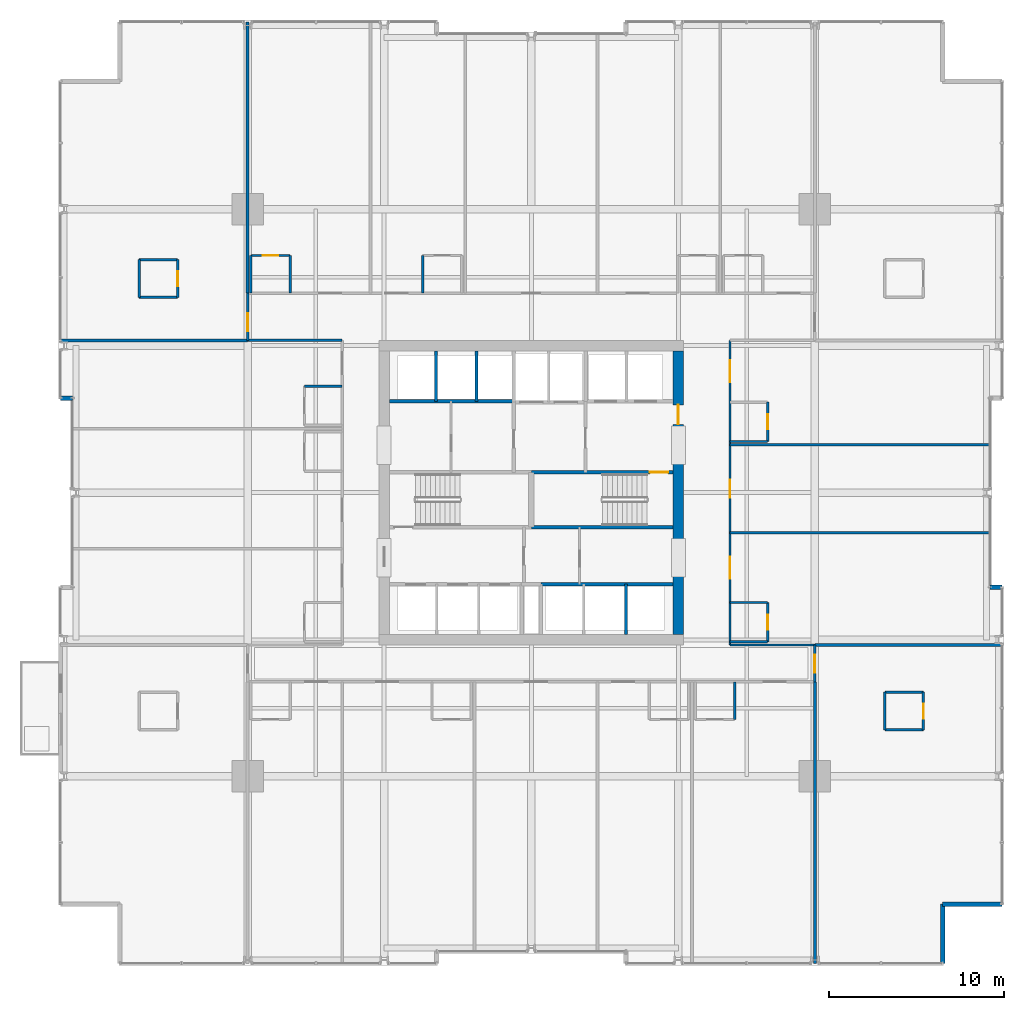
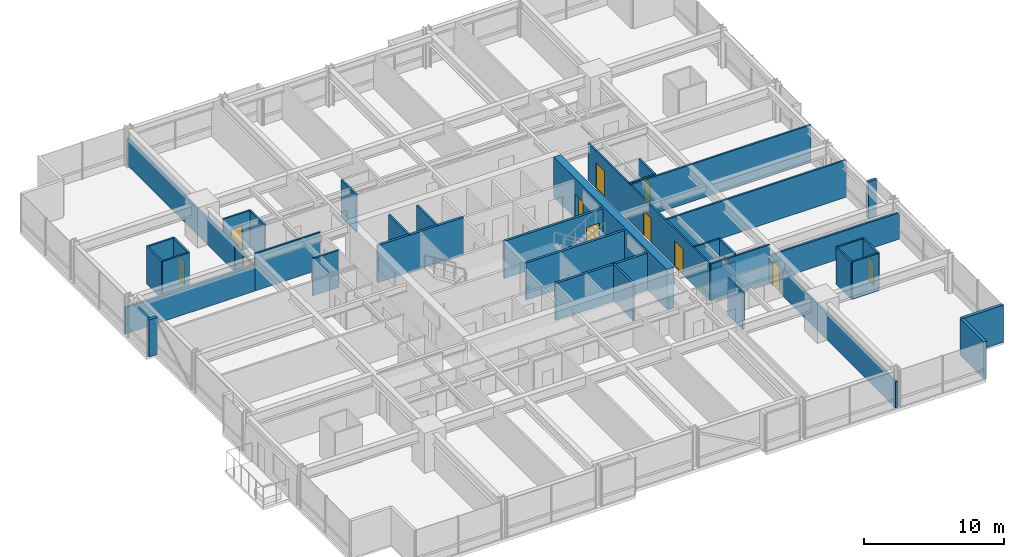
# One storey, part 32 of 38: 42 walls, 12 doors, 12 openings.
"""IFC4 building model written with IfcOpenShell, lengths in metres."""

from ifc_helpers import new_model, si_unit, direction, frame, frame_2d, origin, place, context, subcontext, project, spatial, rectangle, extrude, material, layer, layer_set, type_object, element, fill, save


model = new_model("IFC4")

# Units and contexts
model_context = context("Model", 3, precision=1e-05, world=origin(), true_north=direction((0.0, 1.0)))
body_context = subcontext(model_context, "Body", "Model", "MODEL_VIEW")
ifc_project = project(units=[si_unit("LENGTHUNIT", "METRE"), si_unit("AREAUNIT", "SQUARE_METRE"), si_unit("VOLUMEUNIT", "CUBIC_METRE"), si_unit("PLANEANGLEUNIT", "RADIAN"), si_unit("MASSUNIT", "GRAM", prefix="KILO")], contexts=[model_context])

# Site, building, storey
site_placement = place(None, origin())
site = spatial("IfcSite", under=ifc_project, at=site_placement, CompositionType="ELEMENT")
building_placement = place(site_placement, origin())
building = spatial("IfcBuilding", under=site, at=building_placement, Name="Drelvath Grand Hotel", CompositionType="ELEMENT")
storey_placement = place(building_placement, frame((0.0, 0.0, 57.699951171875)))
storey = spatial("IfcBuildingStorey", under=building, at=storey_placement, Name="L13", CompositionType="ELEMENT", Elevation=57.699951171875)

# Walls
ifc_material_1 = material(Name="Concrete C40/50", Category="concrete")
ifc_layer_1 = layer(ifc_material_1, 0.199951171875)
ifc_layer_set_1 = layer_set([ifc_layer_1], Name="Concrete C40/50")
wall_type_1 = type_object("IfcWallType", Name="Core Hoistway Fire Wall 200", PredefinedType="SOLIDWALL", material=ifc_layer_set_1)
wall_1_placement = place(storey_placement, frame((-8.10009765625, 32.219970703125, 0.0), z_axis=(0.0, 0.0, 1.0), x_axis=(1.0, 0.0, 0.0)))
element("IfcWall", 1, at=wall_1_placement, inside=storey, type_object=wall_type_1, Name="L13 Bank 3 Hoistway Wall", PredefinedType="SOLIDWALL", context=body_context, shape_type="SweptSolid", body=[
    extrude(rectangle(XDim=7.10009765625, YDim=0.199951171875, at=frame_2d((3.550048828125, 0.0))), origin(), (0.0, 0.0, 1.0), 3.239990234375),
])
wall_2_placement = place(storey_placement, frame((8.10009765625, 21.780029296875, 0.0), z_axis=(0.0, 0.0, 1.0), x_axis=(-1.0, 0.0, 0.0)))
element("IfcWall", 2, at=wall_2_placement, inside=storey, type_object=wall_type_1, Name="L13 Bank 2 Hoistway Wall", PredefinedType="SOLIDWALL", context=body_context, shape_type="SweptSolid", body=[
    extrude(rectangle(XDim=7.550048828125, YDim=0.199951171875, at=frame_2d((3.77490234375, 0.0))), origin(), (0.0, 0.0, 1.0), 3.239990234375),
])
ifc_layer_2 = layer(ifc_material_1, 0.199951171875)
ifc_layer_set_2 = layer_set([ifc_layer_2], Name="Concrete C40/50")
wall_type_2 = type_object("IfcWallType", Name="Core Shaft Fire Wall 200", PredefinedType="SOLIDWALL", material=ifc_layer_set_2)
wall_3_placement = place(storey_placement, frame((0.0, 25.0400390625, 0.0), z_axis=(0.0, 0.0, 1.0), x_axis=(1.0, 0.0, 0.0)))
element("IfcWall", 3, at=wall_3_placement, inside=storey, type_object=wall_type_2, Name="L13 Stair ST-2 South Wall", PredefinedType="SOLIDWALL", context=body_context, shape_type="SweptSolid", body=[
    extrude(rectangle(XDim=8.10009765625, YDim=0.199951171875, at=frame_2d((4.050048828125, 0.0))), origin(), (0.0, 0.0, 1.0), 3.239990234375),
])

# Wall, opening, door
wall_4_placement = place(storey_placement, frame((8.10009765625, 28.159912109375, 0.0), z_axis=(0.0, 0.0, 1.0), x_axis=(-1.0, 0.0, 0.0)))
wall_4 = element("IfcWall", 4, at=wall_4_placement, inside=storey, type_object=wall_type_2, Name="L13 Stair ST-2 North Wall", PredefinedType="SOLIDWALL", context=body_context, shape_type="SweptSolid", body=[
    extrude(rectangle(XDim=8.10009765625, YDim=0.199951171875, at=frame_2d((4.050048828125, 0.0))), origin(), (0.0, 0.0, 1.0), 3.239990234375),
])
opening_1_placement = place(wall_4_placement, frame((0.280029296875, 0.0, 0.0)))
opening_1 = element("IfcOpeningElement", 5, at=opening_1_placement, cuts=wall_4, Name="Opening D-T1G3-002", PredefinedType="OPENING", context=body_context, shape_type="SweptSolid", body=[
    extrude(rectangle(XDim=1.050048828125, YDim=2.10009765625, at=frame_2d((0.52490234375, 1.050048828125))), frame((0.0, 0.10986328125, 0.0), z_axis=(0.0, -1.0, 0.0), x_axis=(1.0, 0.0, 0.0)), (0.0, 0.0, 1.0), 0.219970703125),
])
ifc_material_2 = material(Name="Painted Steel S275", Category="steel")
door_type_1 = type_object("IfcDoorType", Name="Tower Stairwell Fire Door 1050x2100", OperationType="NOTDEFINED", PredefinedType="DOOR", material=ifc_material_2)
door_1_placement = place(opening_1_placement, origin())
door_1 = element("IfcDoor", 6, at=door_1_placement, inside=storey, type_object=door_type_1, Name="L13 Exit Stair ST-2 Door", OperationType="SINGLE_SWING_LEFT", OverallHeight=2.10009765625, OverallWidth=1.050048828125, PredefinedType="DOOR", context=body_context, shape_type="SweptSolid", body=[
    extrude(rectangle(XDim=1.050048828125, YDim=2.10009765625, at=frame_2d((0.52490234375, 1.050048828125))), frame((0.0, 0.02490234375, 0.0), z_axis=(0.0, -1.0, 0.0), x_axis=(1.0, 0.0, 0.0)), (0.0, 0.0, 1.0), 0.050048828125),
])
fill(opening_1, door_1)

# Walls
ifc_material_3 = material(Name="Gypsum Fireboard Partition")
ifc_layer_3 = layer(ifc_material_3, 0.1650390625)
ifc_layer_set_3 = layer_set([ifc_layer_3], Name="Gypsum Fireboard Partition")
wall_type_3 = type_object("IfcWallType", Name="Core Shaft Partition 165", PredefinedType="PARTITIONING", material=ifc_layer_set_3)
for number, where, z_axis, x_axis, name in (
    (7, (-5.43994140625, 32.219970703125, 0.0), (0.0, 0.0, 1.0), (0.0, 1.0, 0.0), "L13 Lift PE-7/8 Divider"),
    (8, (-3.1201171875, 32.219970703125, 0.0), (0.0, 0.0, 1.0), (0.0, 1.0, 0.0), "L13 Lift PE-8/9 Divider"),
    (9, (5.39990234375, 18.89990234375, 0.0), (0.0, 0.0, 1.0), (0.0, 1.0, 0.0), "L13 Lift PE-5/6 Divider"),
):
    element("IfcWall", number, at=place(storey_placement, frame(where, z_axis=z_axis, x_axis=x_axis)), inside=storey, type_object=wall_type_3, Name=name, PredefinedType="PARTITIONING", context=body_context, shape_type="SweptSolid", body=[
        extrude(rectangle(XDim=2.880126953125, YDim=0.1650390625, at=frame_2d((1.43994140625, 0.0))), origin(), (0.0, 0.0, 1.0), 3.239990234375),
    ])
ifc_layer_4 = layer(ifc_material_3, 0.135009765625)
ifc_layer_set_4 = layer_set([ifc_layer_4], Name="Gypsum Fireboard Partition")
wall_type_4 = type_object("IfcWallType", Name="Corridor Fire Barrier Wall 135", PredefinedType="PARTITIONING", material=ifc_layer_set_4)
wall_5_placement = place(storey_placement, frame((11.35009765625, 18.300048828125, 0.0), z_axis=(0.0, 0.0, 1.0), x_axis=(1.0, 0.0, 0.0)))
element("IfcWall", 10, at=wall_5_placement, inside=storey, type_object=wall_type_4, Name="L13 SE Spur Inner Wall", PredefinedType="PARTITIONING", context=body_context, shape_type="SweptSolid", body=[
    extrude(rectangle(XDim=4.849853515625, YDim=0.135009765625, at=frame_2d((2.4248046875, 0.0))), origin(), (0.0, 0.0, 1.0), 3.239990234375),
])
wall_6_placement = place(storey_placement, frame((-16.199951171875, 35.699951171875, 0.0), z_axis=(0.0, 0.0, 1.0), x_axis=(1.0, 0.0, 0.0)))
element("IfcWall", 11, at=wall_6_placement, inside=storey, type_object=wall_type_4, Name="L13 NW Spur Inner Wall", PredefinedType="PARTITIONING", context=body_context, shape_type="SweptSolid", body=[
    extrude(rectangle(XDim=5.39990234375, YDim=0.135009765625, at=frame_2d((2.699951171875, 0.0))), origin(), (0.0, 0.0, 1.0), 3.239990234375),
])

# Wall, openings, doors
wall_7_placement = place(storey_placement, frame((11.35009765625, 18.300048828125, 0.0), z_axis=(0.0, 0.0, 1.0), x_axis=(0.0, 1.0, 0.0)))
wall_7 = element("IfcWall", 12, at=wall_7_placement, inside=storey, type_object=wall_type_4, Name="L13 East Corridor Wall", PredefinedType="PARTITIONING", context=body_context, shape_type="SweptSolid", body=[
    extrude(rectangle(XDim=17.39990234375, YDim=0.135009765625, at=frame_2d((8.699951171875, 0.0))), origin(), (0.0, 0.0, 1.0), 3.239990234375),
])
opening_2_placement = place(wall_7_placement, frame((3.790283203125, 0.0, 0.0)))
opening_2 = element("IfcOpeningElement", 13, at=opening_2_placement, cuts=wall_7, Name="Opening D-T1G3-050", PredefinedType="OPENING", context=body_context, shape_type="SweptSolid", body=[
    extrude(rectangle(XDim=1.260009765625, YDim=2.199951171875, at=frame_2d((0.6298828125, 1.10009765625))), frame((0.0, 0.077392578125, 0.0), z_axis=(0.0, -1.0, 0.0), x_axis=(1.0, 0.0, 0.0)), (0.0, 0.0, 1.0), 0.155029296875),
])
opening_3_placement = place(wall_7_placement, frame((8.4189453125, 0.0, 0.0)))
opening_3 = element("IfcOpeningElement", 14, at=opening_3_placement, cuts=wall_7, Name="Opening D-T1G3-051", PredefinedType="OPENING", context=body_context, shape_type="SweptSolid", body=[
    extrude(rectangle(XDim=1.02001953125, YDim=2.14990234375, at=frame_2d((0.510009765625, 1.074951171875))), frame((0.0, 0.077392578125, 0.0), z_axis=(0.0, -1.0, 0.0), x_axis=(1.0, 0.0, 0.0)), (0.0, 0.0, 1.0), 0.155029296875),
])
opening_4_placement = place(wall_7_placement, frame((15.0087890625, 0.0, 0.0)))
opening_4 = element("IfcOpeningElement", 15, at=opening_4_placement, cuts=wall_7, Name="Opening D-T1G3-053", PredefinedType="OPENING", context=body_context, shape_type="SweptSolid", body=[
    extrude(rectangle(XDim=1.260009765625, YDim=2.199951171875, at=frame_2d((0.6298828125, 1.10009765625))), frame((0.0, 0.077392578125, 0.0), z_axis=(0.0, -1.0, 0.0), x_axis=(1.0, 0.0, 0.0)), (0.0, 0.0, 1.0), 0.155029296875),
])
ifc_material_4 = material(Name="Hardwood Walnut Timber", Category="wood")
door_type_2 = type_object("IfcDoorType", Name="Amenity Meeting Fire Door 1020x2150", OperationType="NOTDEFINED", PredefinedType="DOOR", material=ifc_material_4)
door_2_placement = place(opening_3_placement, origin())
door_2 = element("IfcDoor", 16, at=door_2_placement, inside=storey, type_object=door_type_2, Name="L13 Quiet Reading Library Entry Door", OperationType="SINGLE_SWING_RIGHT", OverallHeight=2.14990234375, OverallWidth=1.02001953125, PredefinedType="DOOR", context=body_context, shape_type="SweptSolid", body=[
    extrude(rectangle(XDim=1.02001953125, YDim=2.14990234375, at=frame_2d((0.510009765625, 1.074951171875))), frame((0.0, 0.02490234375, 0.0), z_axis=(0.0, -1.0, 0.0), x_axis=(1.0, 0.0, 0.0)), (0.0, 0.0, 1.0), 0.050048828125),
])
fill(opening_3, door_2)
door_type_3 = type_object("IfcDoorType", Name="Suite Entrance Fire Door 1260x2200", OperationType="NOTDEFINED", PredefinedType="DOOR", material=ifc_material_4)
door_3_placement = place(opening_2_placement, origin())
door_3 = element("IfcDoor", 17, at=door_3_placement, inside=storey, type_object=door_type_3, Name="L13 Corner Suite Entry Door", OperationType="SINGLE_SWING_LEFT", OverallHeight=2.199951171875, OverallWidth=1.260009765625, PredefinedType="DOOR", context=body_context, shape_type="SweptSolid", body=[
    extrude(rectangle(XDim=1.260009765625, YDim=2.199951171875, at=frame_2d((0.6298828125, 1.10009765625))), frame((0.0, 0.02490234375, 0.0), z_axis=(0.0, -1.0, 0.0), x_axis=(1.0, 0.0, 0.0)), (0.0, 0.0, 1.0), 0.050048828125),
])
fill(opening_2, door_3)
door_4_placement = place(opening_4_placement, origin())
door_4 = element("IfcDoor", 18, at=door_4_placement, inside=storey, type_object=door_type_3, Name="L13 Corner Suite Entry Door", OperationType="SINGLE_SWING_RIGHT", OverallHeight=2.199951171875, OverallWidth=1.260009765625, PredefinedType="DOOR", context=body_context, shape_type="SweptSolid", body=[
    extrude(rectangle(XDim=1.260009765625, YDim=2.199951171875, at=frame_2d((0.6298828125, 1.10009765625))), frame((0.0, 0.02490234375, 0.0), z_axis=(0.0, -1.0, 0.0), x_axis=(1.0, 0.0, 0.0)), (0.0, 0.0, 1.0), 0.050048828125),
])
fill(opening_4, door_4)

# Wall, opening, door
wall_8_placement = place(storey_placement, frame((16.199951171875, 16.199951171875, 0.0), z_axis=(0.0, 0.0, 1.0), x_axis=(0.0, 1.0, 0.0)))
wall_8 = element("IfcWall", 19, at=wall_8_placement, inside=storey, type_object=wall_type_4, Name="L13 South Corridor East End", PredefinedType="PARTITIONING", context=body_context, shape_type="SweptSolid", body=[
    extrude(rectangle(XDim=2.10009765625, YDim=0.135009765625, at=frame_2d((1.050048828125, 0.0))), origin(), (0.0, 0.0, 1.0), 2.29833984375),
])
opening_5_placement = place(wall_8_placement, frame((0.52001953125, 0.0, 0.0)))
opening_5 = element("IfcOpeningElement", 20, at=opening_5_placement, cuts=wall_8, Name="Opening D-T1G3-020", PredefinedType="OPENING", context=body_context, shape_type="SweptSolid", body=[
    extrude(rectangle(XDim=1.02001953125, YDim=2.14990234375, at=frame_2d((0.510009765625, 1.074951171875))), frame((0.0, 0.077392578125, 0.0), z_axis=(0.0, -1.0, 0.0), x_axis=(1.0, 0.0, 0.0)), (0.0, 0.0, 1.0), 0.155029296875),
])
door_5_placement = place(opening_5_placement, origin())
door_5 = element("IfcDoor", 21, at=door_5_placement, inside=storey, type_object=door_type_2, Name="L13 Corner Suite Entry Door", OperationType="SINGLE_SWING_LEFT", OverallHeight=2.14990234375, OverallWidth=1.02001953125, PredefinedType="DOOR", context=body_context, shape_type="SweptSolid", body=[
    extrude(rectangle(XDim=1.02001953125, YDim=2.14990234375, at=frame_2d((0.510009765625, 1.074951171875))), frame((0.0, 0.02490234375, 0.0), z_axis=(0.0, -1.0, 0.0), x_axis=(1.0, 0.0, 0.0)), (0.0, 0.0, 1.0), 0.050048828125),
])
fill(opening_5, door_5)

wall_9_placement = place(storey_placement, frame((-16.199951171875, 35.699951171875, 0.0), z_axis=(0.0, 0.0, 1.0), x_axis=(0.0, 1.0, 0.0)))
wall_9 = element("IfcWall", 22, at=wall_9_placement, inside=storey, type_object=wall_type_4, Name="L13 North Corridor West End", PredefinedType="PARTITIONING", context=body_context, shape_type="SweptSolid", body=[
    extrude(rectangle(XDim=2.699951171875, YDim=0.135009765625, at=frame_2d((1.35009765625, 0.0))), origin(), (0.0, 0.0, 1.0), 2.29833984375),
])
opening_6_placement = place(wall_9_placement, frame((0.52001953125, 0.0, 0.0)))
opening_6 = element("IfcOpeningElement", 23, at=opening_6_placement, cuts=wall_9, Name="Opening D-T1G3-022", PredefinedType="OPENING", context=body_context, shape_type="SweptSolid", body=[
    extrude(rectangle(XDim=1.02001953125, YDim=2.14990234375, at=frame_2d((0.510009765625, 1.074951171875))), frame((0.0, 0.077392578125, 0.0), z_axis=(0.0, -1.0, 0.0), x_axis=(1.0, 0.0, 0.0)), (0.0, 0.0, 1.0), 0.155029296875),
])
door_6_placement = place(opening_6_placement, origin())
door_6 = element("IfcDoor", 24, at=door_6_placement, inside=storey, type_object=door_type_2, Name="L13 Corner Suite Entry Door", OperationType="SINGLE_SWING_LEFT", OverallHeight=2.14990234375, OverallWidth=1.02001953125, PredefinedType="DOOR", context=body_context, shape_type="SweptSolid", body=[
    extrude(rectangle(XDim=1.02001953125, YDim=2.14990234375, at=frame_2d((0.510009765625, 1.074951171875))), frame((0.0, 0.02490234375, 0.0), z_axis=(0.0, -1.0, 0.0), x_axis=(1.0, 0.0, 0.0)), (0.0, 0.0, 1.0), 0.050048828125),
])
fill(opening_6, door_6)

# Walls
ifc_material_5 = material(Name="Moisture-Resistant Gypsum Board")
ifc_layer_5 = layer(ifc_material_5, 0.139892578125)
ifc_layer_set_5 = layer_set([ifc_layer_5], Name="Moisture-Resistant Gypsum Board")
wall_type_5 = type_object("IfcWallType", Name="En-Suite Plumbing Wall 140", PredefinedType="PLUMBINGWALL", material=ifc_layer_set_5)
for number, where, z_axis, x_axis, name in (
    (25, (20.199951171875, 13.4599609375, 0.0), (0.0, 0.0, 1.0), (1.0, 0.0, 0.0), "L13 Corner En-Suite South"),
    (26, (20.199951171875, 15.610107421875, 0.0), (0.0, 0.0, 1.0), (1.0, 0.0, 0.0), "L13 Corner En-Suite North"),
):
    element("IfcWall", number, at=place(storey_placement, frame(where, z_axis=z_axis, x_axis=x_axis)), inside=storey, type_object=wall_type_5, Name=name, PredefinedType="PLUMBINGWALL", context=body_context, shape_type="SweptSolid", body=[
        extrude(rectangle(XDim=2.199951171875, YDim=0.139892578125, at=frame_2d((1.10009765625, 0.0))), origin(), (0.0, 0.0, 1.0), 3.239990234375),
    ])
wall_10_placement = place(storey_placement, frame((20.199951171875, 13.4599609375, 0.0), z_axis=(0.0, 0.0, 1.0), x_axis=(0.0, 1.0, 0.0)))
element("IfcWall", 27, at=wall_10_placement, inside=storey, type_object=wall_type_5, Name="L13 Corner En-Suite West", PredefinedType="PLUMBINGWALL", context=body_context, shape_type="SweptSolid", body=[
    extrude(rectangle(XDim=2.150146484375, YDim=0.139892578125, at=frame_2d((1.0751953125, 0.0))), origin(), (0.0, 0.0, 1.0), 3.239990234375),
])

# Wall, opening, door
wall_11_placement = place(storey_placement, frame((22.39990234375, 13.4599609375, 0.0), z_axis=(0.0, 0.0, 1.0), x_axis=(0.0, 1.0, 0.0)))
wall_11 = element("IfcWall", 28, at=wall_11_placement, inside=storey, type_object=wall_type_5, Name="L13 Corner En-Suite East", PredefinedType="PLUMBINGWALL", context=body_context, shape_type="SweptSolid", body=[
    extrude(rectangle(XDim=2.150146484375, YDim=0.139892578125, at=frame_2d((1.0751953125, 0.0))), origin(), (0.0, 0.0, 1.0), 3.239990234375),
])
opening_7_placement = place(wall_11_placement, frame((0.6201171875, 0.0, 0.0)))
opening_7 = element("IfcOpeningElement", 29, at=opening_7_placement, cuts=wall_11, Name="Opening D-T1G3-019", PredefinedType="OPENING", context=body_context, shape_type="SweptSolid", body=[
    extrude(rectangle(XDim=0.8798828125, YDim=2.10009765625, at=frame_2d((0.43994140625, 1.050048828125))), frame((0.0, 0.079833984375, 0.0), z_axis=(0.0, -1.0, 0.0), x_axis=(1.0, 0.0, 0.0)), (0.0, 0.0, 1.0), 0.159912109375),
])
door_type_4 = type_object("IfcDoorType", Name="En-Suite Bathroom Door 880x2100", OperationType="NOTDEFINED", PredefinedType="DOOR", material=ifc_material_4)
door_7_placement = place(opening_7_placement, origin())
door_7 = element("IfcDoor", 30, at=door_7_placement, inside=storey, type_object=door_type_4, Name="L13 Corner En-Suite Door", OperationType="SINGLE_SWING_RIGHT", OverallHeight=2.10009765625, OverallWidth=0.8798828125, PredefinedType="DOOR", context=body_context, shape_type="SweptSolid", body=[
    extrude(rectangle(XDim=0.8798828125, YDim=2.10009765625, at=frame_2d((0.43994140625, 1.050048828125))), frame((0.0, 0.02490234375, 0.0), z_axis=(0.0, -1.0, 0.0), x_axis=(1.0, 0.0, 0.0)), (0.0, 0.0, 1.0), 0.050048828125),
])
fill(opening_7, door_7)

# Walls
for number, where, z_axis, x_axis, name in (
    (31, (-22.39990234375, 38.159912109375, 0.0), (0.0, 0.0, 1.0), (1.0, 0.0, 0.0), "L13 Corner En-Suite South"),
    (32, (-22.39990234375, 40.31005859375, 0.0), (0.0, 0.0, 1.0), (1.0, 0.0, 0.0), "L13 Corner En-Suite North"),
):
    element("IfcWall", number, at=place(storey_placement, frame(where, z_axis=z_axis, x_axis=x_axis)), inside=storey, type_object=wall_type_5, Name=name, PredefinedType="PLUMBINGWALL", context=body_context, shape_type="SweptSolid", body=[
        extrude(rectangle(XDim=2.199951171875, YDim=0.139892578125, at=frame_2d((1.10009765625, 0.0))), origin(), (0.0, 0.0, 1.0), 3.239990234375),
    ])
wall_12_placement = place(storey_placement, frame((-22.39990234375, 38.159912109375, 0.0), z_axis=(0.0, 0.0, 1.0), x_axis=(0.0, 1.0, 0.0)))
element("IfcWall", 33, at=wall_12_placement, inside=storey, type_object=wall_type_5, Name="L13 Corner En-Suite West", PredefinedType="PLUMBINGWALL", context=body_context, shape_type="SweptSolid", body=[
    extrude(rectangle(XDim=2.150146484375, YDim=0.139892578125, at=frame_2d((1.0751953125, 0.0))), origin(), (0.0, 0.0, 1.0), 3.239990234375),
])

# Wall, opening, door
wall_13_placement = place(storey_placement, frame((-20.199951171875, 38.159912109375, 0.0), z_axis=(0.0, 0.0, 1.0), x_axis=(0.0, 1.0, 0.0)))
wall_13 = element("IfcWall", 34, at=wall_13_placement, inside=storey, type_object=wall_type_5, Name="L13 Corner En-Suite East", PredefinedType="PLUMBINGWALL", context=body_context, shape_type="SweptSolid", body=[
    extrude(rectangle(XDim=2.150146484375, YDim=0.139892578125, at=frame_2d((1.0751953125, 0.0))), origin(), (0.0, 0.0, 1.0), 3.239990234375),
])
opening_8_placement = place(wall_13_placement, frame((0.6201171875, 0.0, 0.0)))
opening_8 = element("IfcOpeningElement", 35, at=opening_8_placement, cuts=wall_13, Name="Opening D-T1G3-021", PredefinedType="OPENING", context=body_context, shape_type="SweptSolid", body=[
    extrude(rectangle(XDim=0.8798828125, YDim=2.10009765625, at=frame_2d((0.43994140625, 1.050048828125))), frame((0.0, 0.079833984375, 0.0), z_axis=(0.0, -1.0, 0.0), x_axis=(1.0, 0.0, 0.0)), (0.0, 0.0, 1.0), 0.159912109375),
])
door_8_placement = place(opening_8_placement, origin())
door_8 = element("IfcDoor", 36, at=door_8_placement, inside=storey, type_object=door_type_4, Name="L13 Corner En-Suite Door", OperationType="SINGLE_SWING_RIGHT", OverallHeight=2.10009765625, OverallWidth=0.8798828125, PredefinedType="DOOR", context=body_context, shape_type="SweptSolid", body=[
    extrude(rectangle(XDim=0.8798828125, YDim=2.10009765625, at=frame_2d((0.43994140625, 1.050048828125))), frame((0.0, 0.02490234375, 0.0), z_axis=(0.0, -1.0, 0.0), x_axis=(1.0, 0.0, 0.0)), (0.0, 0.0, 1.0), 0.050048828125),
])
fill(opening_8, door_8)

# Walls
wall_14_placement = place(storey_placement, frame((11.610107421875, 16.199951171875, 0.0), z_axis=(0.0, 0.0, 1.0), x_axis=(0.0, -1.0, 0.0)))
element("IfcWall", 37, at=wall_14_placement, inside=storey, type_object=wall_type_5, Name="L13 En-Suite Right Wall", PredefinedType="PLUMBINGWALL", context=body_context, shape_type="SweptSolid", body=[
    extrude(rectangle(XDim=2.14990234375, YDim=0.139892578125, at=frame_2d((1.074951171875, 0.0))), origin(), (0.0, 0.0, 1.0), 3.239990234375),
])
wall_15_placement = place(storey_placement, frame((-16.02001953125, 38.39990234375, 0.0), z_axis=(0.0, 0.0, 1.0), x_axis=(0.0, 1.0, 0.0)))
element("IfcWall", 38, at=wall_15_placement, inside=storey, type_object=wall_type_5, Name="L13 En-Suite Left Wall", PredefinedType="PLUMBINGWALL", context=body_context, shape_type="SweptSolid", body=[
    extrude(rectangle(XDim=2.150146484375, YDim=0.139892578125, at=frame_2d((1.0751953125, 0.0))), origin(), (0.0, 0.0, 1.0), 2.29833984375),
])
wall_16_placement = place(storey_placement, frame((-13.77001953125, 38.39990234375, 0.0), z_axis=(0.0, 0.0, 1.0), x_axis=(0.0, 1.0, 0.0)))
element("IfcWall", 39, at=wall_16_placement, inside=storey, type_object=wall_type_5, Name="L13 En-Suite Right Wall", PredefinedType="PLUMBINGWALL", context=body_context, shape_type="SweptSolid", body=[
    extrude(rectangle(XDim=2.150146484375, YDim=0.139892578125, at=frame_2d((1.0751953125, 0.0))), origin(), (0.0, 0.0, 1.0), 3.239990234375),
])

# Wall, opening, door
wall_17_placement = place(storey_placement, frame((-16.02001953125, 40.550048828125, 0.0), z_axis=(0.0, 0.0, 1.0), x_axis=(1.0, 0.0, 0.0)))
wall_17 = element("IfcWall", 40, at=wall_17_placement, inside=storey, type_object=wall_type_5, Name="L13 En-Suite Front Wall", PredefinedType="PLUMBINGWALL", context=body_context, shape_type="SweptSolid", body=[
    extrude(rectangle(XDim=2.25, YDim=0.139892578125, at=frame_2d((1.125, 0.0))), origin(), (0.0, 0.0, 1.0), 3.239990234375),
])
opening_9_placement = place(wall_17_placement, frame((0.68505859375, 0.0, 0.0)))
opening_9 = element("IfcOpeningElement", 41, at=opening_9_placement, cuts=wall_17, Name="Opening D-T1G3-034", PredefinedType="OPENING", context=body_context, shape_type="SweptSolid", body=[
    extrude(rectangle(XDim=0.8798828125, YDim=2.10009765625, at=frame_2d((0.43994140625, 1.050048828125))), frame((0.0, 0.079833984375, 0.0), z_axis=(0.0, -1.0, 0.0), x_axis=(1.0, 0.0, 0.0)), (0.0, 0.0, 1.0), 0.159912109375),
])
door_9_placement = place(opening_9_placement, origin())
door_9 = element("IfcDoor", 42, at=door_9_placement, inside=storey, type_object=door_type_4, Name="L13 En-Suite Bathroom Door", OperationType="SINGLE_SWING_LEFT", OverallHeight=2.10009765625, OverallWidth=0.8798828125, PredefinedType="DOOR", context=body_context, shape_type="SweptSolid", body=[
    extrude(rectangle(XDim=0.8798828125, YDim=2.10009765625, at=frame_2d((0.43994140625, 1.050048828125))), frame((0.0, 0.02490234375, 0.0), z_axis=(0.0, -1.0, 0.0), x_axis=(1.0, 0.0, 0.0)), (0.0, 0.0, 1.0), 0.050048828125),
])
fill(opening_9, door_9)

# Walls
wall_18_placement = place(storey_placement, frame((-6.2099609375, 38.39990234375, 0.0), z_axis=(0.0, 0.0, 1.0), x_axis=(0.0, 1.0, 0.0)))
element("IfcWall", 43, at=wall_18_placement, inside=storey, type_object=wall_type_5, Name="L13 En-Suite Left Wall", PredefinedType="PLUMBINGWALL", context=body_context, shape_type="SweptSolid", body=[
    extrude(rectangle(XDim=2.150146484375, YDim=0.139892578125, at=frame_2d((1.0751953125, 0.0))), origin(), (0.0, 0.0, 1.0), 3.239990234375),
])
wall_19_placement = place(storey_placement, frame((-10.800048828125, 33.09326171875, 0.0), z_axis=(0.0, 0.0, 1.0), x_axis=(-1.0, 0.0, 0.0)))
element("IfcWall", 44, at=wall_19_placement, inside=storey, type_object=wall_type_5, Name="L13 En-Suite Right Wall", PredefinedType="PLUMBINGWALL", context=body_context, shape_type="SweptSolid", body=[
    extrude(rectangle(XDim=2.14990234375, YDim=0.139892578125, at=frame_2d((1.074951171875, 0.0))), origin(), (0.0, 0.0, 1.0), 3.239990234375),
])
wall_20_placement = place(storey_placement, frame((11.35009765625, 18.47998046875, 0.0), z_axis=(0.0, 0.0, 1.0), x_axis=(1.0, 0.0, 0.0)))
element("IfcWall", 45, at=wall_20_placement, inside=storey, type_object=wall_type_5, Name="L13 En-Suite Left Wall", PredefinedType="PLUMBINGWALL", context=body_context, shape_type="SweptSolid", body=[
    extrude(rectangle(XDim=2.14990234375, YDim=0.139892578125, at=frame_2d((1.074951171875, 0.0))), origin(), (0.0, 0.0, 1.0), 2.617431640625),
])
wall_21_placement = place(storey_placement, frame((11.35009765625, 20.72998046875, 0.0), z_axis=(0.0, 0.0, 1.0), x_axis=(1.0, 0.0, 0.0)))
element("IfcWall", 46, at=wall_21_placement, inside=storey, type_object=wall_type_5, Name="L13 En-Suite Right Wall", PredefinedType="PLUMBINGWALL", context=body_context, shape_type="SweptSolid", body=[
    extrude(rectangle(XDim=2.14990234375, YDim=0.139892578125, at=frame_2d((1.074951171875, 0.0))), origin(), (0.0, 0.0, 1.0), 3.239990234375),
])

# Wall, opening, door
wall_22_placement = place(storey_placement, frame((13.5, 18.47998046875, 0.0), z_axis=(0.0, 0.0, 1.0), x_axis=(0.0, 1.0, 0.0)))
wall_22 = element("IfcWall", 47, at=wall_22_placement, inside=storey, type_object=wall_type_5, Name="L13 En-Suite Front Wall", PredefinedType="PLUMBINGWALL", context=body_context, shape_type="SweptSolid", body=[
    extrude(rectangle(XDim=2.25, YDim=0.139892578125, at=frame_2d((1.125, 0.0))), origin(), (0.0, 0.0, 1.0), 3.239990234375),
])
opening_10_placement = place(wall_22_placement, frame((0.68505859375, 0.0, 0.0)))
opening_10 = element("IfcOpeningElement", 48, at=opening_10_placement, cuts=wall_22, Name="Opening D-T1G3-049", PredefinedType="OPENING", context=body_context, shape_type="SweptSolid", body=[
    extrude(rectangle(XDim=0.8798828125, YDim=2.10009765625, at=frame_2d((0.43994140625, 1.050048828125))), frame((0.0, 0.079833984375, 0.0), z_axis=(0.0, -1.0, 0.0), x_axis=(1.0, 0.0, 0.0)), (0.0, 0.0, 1.0), 0.159912109375),
])
door_10_placement = place(opening_10_placement, origin())
door_10 = element("IfcDoor", 49, at=door_10_placement, inside=storey, type_object=door_type_4, Name="L13 En-Suite Bathroom Door", OperationType="SINGLE_SWING_RIGHT", OverallHeight=2.10009765625, OverallWidth=0.8798828125, PredefinedType="DOOR", context=body_context, shape_type="SweptSolid", body=[
    extrude(rectangle(XDim=0.8798828125, YDim=2.10009765625, at=frame_2d((0.43994140625, 1.050048828125))), frame((0.0, 0.02490234375, 0.0), z_axis=(0.0, -1.0, 0.0), x_axis=(1.0, 0.0, 0.0)), (0.0, 0.0, 1.0), 0.050048828125),
])
fill(opening_10, door_10)

# Wall
wall_23_placement = place(storey_placement, frame((11.35009765625, 29.927490234375, 0.0), z_axis=(0.0, 0.0, 1.0), x_axis=(1.0, 0.0, 0.0)))
element("IfcWall", 50, at=wall_23_placement, inside=storey, type_object=wall_type_5, Name="L13 En-Suite Left Wall", PredefinedType="PLUMBINGWALL", context=body_context, shape_type="SweptSolid", body=[
    extrude(rectangle(XDim=2.14990234375, YDim=0.139892578125, at=frame_2d((1.074951171875, 0.0))), origin(), (0.0, 0.0, 1.0), 3.239990234375),
])

# Wall, opening, door
wall_24_placement = place(storey_placement, frame((13.5, 29.927490234375, 0.0), z_axis=(0.0, 0.0, 1.0), x_axis=(0.0, 1.0, 0.0)))
wall_24 = element("IfcWall", 51, at=wall_24_placement, inside=storey, type_object=wall_type_5, Name="L13 En-Suite Front Wall", PredefinedType="PLUMBINGWALL", context=body_context, shape_type="SweptSolid", body=[
    extrude(rectangle(XDim=2.25, YDim=0.139892578125, at=frame_2d((1.125, 0.0))), origin(), (0.0, 0.0, 1.0), 3.239990234375),
])
opening_11_placement = place(wall_24_placement, frame((0.68505859375, 0.0, 0.0)))
opening_11 = element("IfcOpeningElement", 52, at=opening_11_placement, cuts=wall_24, Name="Opening D-T1G3-052", PredefinedType="OPENING", context=body_context, shape_type="SweptSolid", body=[
    extrude(rectangle(XDim=0.8798828125, YDim=2.10009765625, at=frame_2d((0.43994140625, 1.050048828125))), frame((0.0, 0.079833984375, 0.0), z_axis=(0.0, -1.0, 0.0), x_axis=(1.0, 0.0, 0.0)), (0.0, 0.0, 1.0), 0.159912109375),
])
door_11_placement = place(opening_11_placement, origin())
door_11 = element("IfcDoor", 53, at=door_11_placement, inside=storey, type_object=door_type_4, Name="L13 En-Suite Bathroom Door", OperationType="SINGLE_SWING_LEFT", OverallHeight=2.10009765625, OverallWidth=0.8798828125, PredefinedType="DOOR", context=body_context, shape_type="SweptSolid", body=[
    extrude(rectangle(XDim=0.8798828125, YDim=2.10009765625, at=frame_2d((0.43994140625, 1.050048828125))), frame((0.0, 0.02490234375, 0.0), z_axis=(0.0, -1.0, 0.0), x_axis=(1.0, 0.0, 0.0)), (0.0, 0.0, 1.0), 0.050048828125),
])
fill(opening_11, door_11)

# Walls
ifc_material_6 = material(Name="Gypsum Acoustic Partition")
ifc_layer_6 = layer(ifc_material_6, 0.14990234375)
ifc_layer_set_6 = layer_set([ifc_layer_6], Name="Gypsum Acoustic Partition")
wall_type_6 = type_object("IfcWallType", Name="Guestroom Demising Wall 150", PredefinedType="PARTITIONING", material=ifc_layer_set_6)
for number, where, z_axis, x_axis, name in (
    (54, (11.35009765625, 24.71044921875, 0.0), (0.0, 0.0, 1.0), (1.0, 0.0, 0.0), "L13 East Demising 1"),
    (55, (11.35009765625, 29.747314453125, 0.0), (0.0, 0.0, 1.0), (1.0, 0.0, 0.0), "L13 East Demising 2"),
):
    element("IfcWall", number, at=place(storey_placement, frame(where, z_axis=z_axis, x_axis=x_axis)), inside=storey, type_object=wall_type_6, Name=name, PredefinedType="PARTITIONING", context=body_context, shape_type="SweptSolid", body=[
        extrude(rectangle(XDim=14.849853515625, YDim=0.14990234375, at=frame_2d((7.4248046875, 0.0))), origin(), (0.0, 0.0, 1.0), 3.239990234375),
    ])

# Wall, opening, door
ifc_material_7 = material(Name="Concrete f'c 70 MPa", Category="concrete")
ifc_layer_7 = layer(ifc_material_7, 0.60009765625)
ifc_layer_set_7 = layer_set([ifc_layer_7], Name="Concrete f'c 70 MPa")
wall_type_7 = type_object("IfcWallType", Name="Lower Core RC Shear Wall 600", PredefinedType="SHEAR", material=ifc_layer_set_7)
wall_25_placement = place(storey_placement, frame((8.39990234375, 35.10009765625, 0.0), z_axis=(0.0, 0.0, 1.0), x_axis=(0.0, -1.0, 0.0)))
wall_25 = element("IfcWall", 56, at=wall_25_placement, inside=storey, type_object=wall_type_7, Name="L13 Central Core Shear Wall E", PredefinedType="SHEAR", context=body_context, shape_type="SweptSolid", body=[
    extrude(rectangle(XDim=16.2001953125, YDim=0.60009765625, at=frame_2d((8.10009765625, 0.0))), origin(), (0.0, 0.0, 1.0), 3.5),
])
opening_12_placement = place(wall_25_placement, frame((3.080078125, 0.0, 0.0)))
opening_12 = element("IfcOpeningElement", 57, at=opening_12_placement, cuts=wall_25, Name="Opening D-T1G3-006", PredefinedType="OPENING", context=body_context, shape_type="SweptSolid", body=[
    extrude(rectangle(XDim=1.1201171875, YDim=2.10009765625, at=frame_2d((0.56005859375, 1.050048828125))), frame((0.0, 0.31005859375, 0.0), z_axis=(0.0, -1.0, 0.0), x_axis=(1.0, 0.0, 0.0)), (0.0, 0.0, 1.0), 0.6201171875),
])
door_type_5 = type_object("IfcDoorType", Name="FSAE Smoke Lobby Fire Door 1120x2100", OperationType="NOTDEFINED", PredefinedType="DOOR", material=ifc_material_2)
door_12_placement = place(opening_12_placement, origin())
door_12 = element("IfcDoor", 58, at=door_12_placement, inside=storey, type_object=door_type_5, Name="L13 FSAE Lobby East Corridor Door", OperationType="SINGLE_SWING_LEFT", OverallHeight=2.10009765625, OverallWidth=1.1201171875, PredefinedType="DOOR", context=body_context, shape_type="SweptSolid", body=[
    extrude(rectangle(XDim=1.1201171875, YDim=2.10009765625, at=frame_2d((0.56005859375, 1.050048828125))), frame((0.0, 0.02490234375, 0.0), z_axis=(0.0, -1.0, 0.0), x_axis=(1.0, 0.0, 0.0)), (0.0, 0.0, 1.0), 0.050048828125),
])
fill(opening_12, door_12)

# Walls
ifc_layer_8 = layer(ifc_material_6, 0.1650390625)
ifc_layer_set_8 = layer_set([ifc_layer_8], Name="Gypsum Acoustic Partition")
wall_type_8 = type_object("IfcWallType", Name="Suite Demising Wall 165", PredefinedType="PARTITIONING", material=ifc_layer_set_8)
wall_26_placement = place(storey_placement, frame((16.199951171875, 0.1201171875, 0.0), z_axis=(0.0, 0.0, 1.0), x_axis=(0.0, 1.0, 0.0)))
element("IfcWall", 59, at=wall_26_placement, inside=storey, type_object=wall_type_8, Name="L13 SE Wing Boundary Wall", PredefinedType="PARTITIONING", context=body_context, shape_type="SweptSolid", body=[
    extrude(rectangle(XDim=16.079833984375, YDim=0.1650390625, at=frame_2d((8.0400390625, 0.0))), origin(), (0.0, 0.0, 1.0), 2.29833984375),
])
wall_27_placement = place(storey_placement, frame((-16.199951171875, 38.39990234375, 0.0), z_axis=(0.0, 0.0, 1.0), x_axis=(0.0, 1.0, 0.0)))
element("IfcWall", 60, at=wall_27_placement, inside=storey, type_object=wall_type_8, Name="L13 NW Wing Boundary Wall", PredefinedType="PARTITIONING", context=body_context, shape_type="SweptSolid", body=[
    extrude(rectangle(XDim=15.47998046875, YDim=0.1650390625, at=frame_2d((7.739990234375, 0.0))), origin(), (0.0, 0.0, 1.0), 2.29833984375),
])
for number, where, z_axis, x_axis, name in (
    (61, (16.199951171875, 18.300048828125, 0.0), (0.0, 0.0, 1.0), (1.0, 0.0, 0.0), "L13 SE Corner North Wall"),
    (62, (-26.8798828125, 35.699951171875, 0.0), (0.0, 0.0, 1.0), (1.0, 0.0, 0.0), "L13 NW Corner South Wall"),
):
    element("IfcWall", number, at=place(storey_placement, frame(where, z_axis=z_axis, x_axis=x_axis)), inside=storey, type_object=wall_type_8, Name=name, PredefinedType="PARTITIONING", context=body_context, shape_type="SweptSolid", body=[
        extrude(rectangle(XDim=10.679931640625, YDim=0.1650390625, at=frame_2d((5.33984375, 0.0))), origin(), (0.0, 0.0, 1.0), 2.29833984375),
    ])
ifc_material_8 = material(Name="Pale-Metal Insulated Aluminium Spandrel Assembly", Category="aluminium")
ifc_layer_9 = layer(ifc_material_8, 0.239990234375)
ifc_layer_set_9 = layer_set([ifc_layer_9], Name="Pale-Metal Insulated Aluminium Spandrel Assembly")
wall_type_9 = type_object("IfcWallType", Name="Tower Insulated Metal Spandrel Closure Wall 240", PredefinedType="STANDARD", material=ifc_layer_set_9)
for number, where, z_axis, x_axis, name in (
    (63, (26.8798828125, 3.5, 0.0), (0.0, 0.0, 1.0), (-1.0, 0.0, 0.0), "L13 Notched Corner Return Spandrel Wall CSE1"),
    (64, (23.5, 3.5, 0.0), (0.0, 0.0, 1.0), (0.0, -1.0, 0.0), "L13 Notched Corner Return Spandrel Wall CSE2"),
):
    element("IfcWall", number, at=place(storey_placement, frame(where, z_axis=z_axis, x_axis=x_axis)), inside=storey, type_object=wall_type_9, Name=name, PredefinedType="STANDARD", context=body_context, shape_type="SweptSolid", body=[
        extrude(rectangle(XDim=3.3798828125, YDim=0.239990234375, at=frame_2d((1.68994140625, 0.0))), origin(), (0.0, 0.0, 1.0), 3.239990234375),
    ])
for number, where, z_axis, x_axis, name in (
    (65, (-26.199951171875, 32.39990234375, 0.0), (0.0, 0.0, 1.0), (-1.0, 0.0, 0.0), "L13 Notched Corner Return Spandrel Wall RW2"),
    (66, (26.199951171875, 21.60009765625, 0.0), (0.0, 0.0, 1.0), (1.0, 0.0, 0.0), "L13 Notched Corner Return Spandrel Wall RE2"),
):
    element("IfcWall", number, at=place(storey_placement, frame(where, z_axis=z_axis, x_axis=x_axis)), inside=storey, type_object=wall_type_9, Name=name, PredefinedType="STANDARD", context=body_context, shape_type="SweptSolid", body=[
        extrude(rectangle(XDim=0.679931640625, YDim=0.239990234375, at=frame_2d((0.33984375, 0.0))), origin(), (0.0, 0.0, 1.0), 3.239990234375),
    ])

save(model, "model.ifc")
